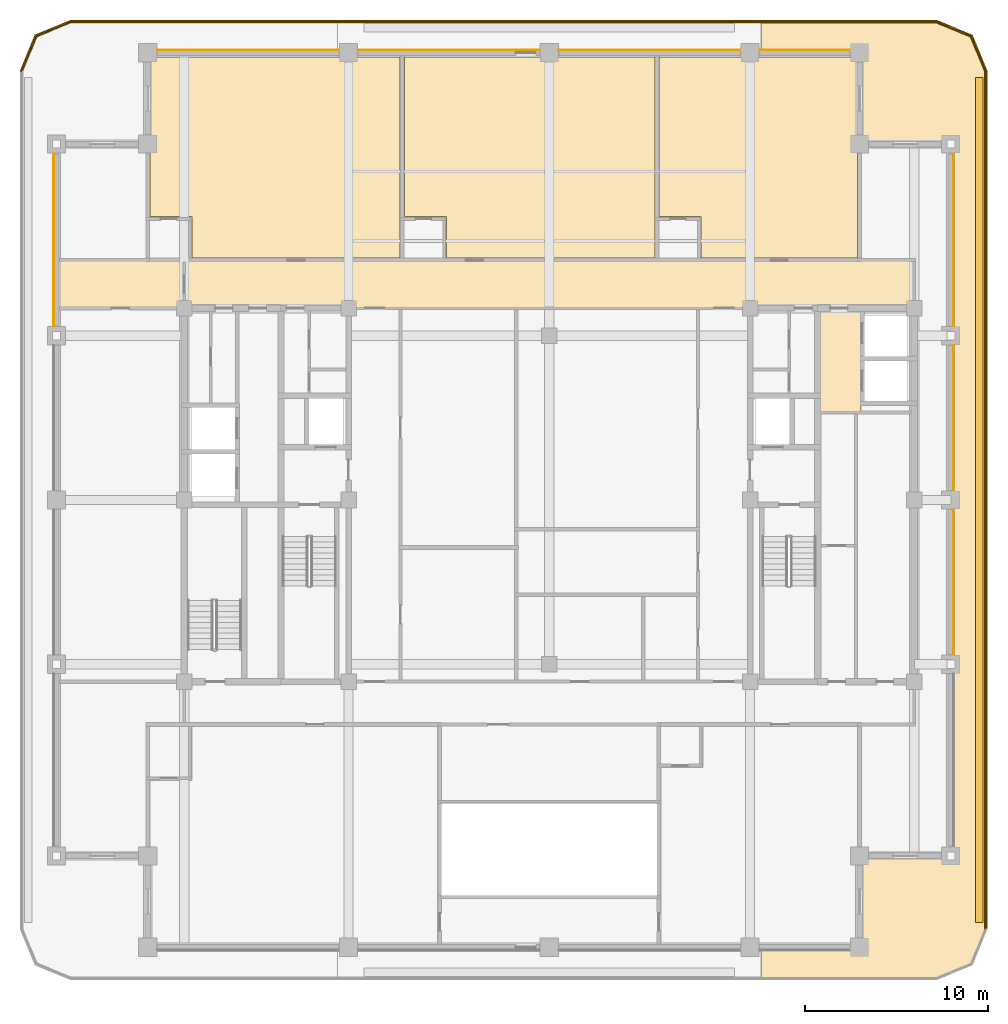
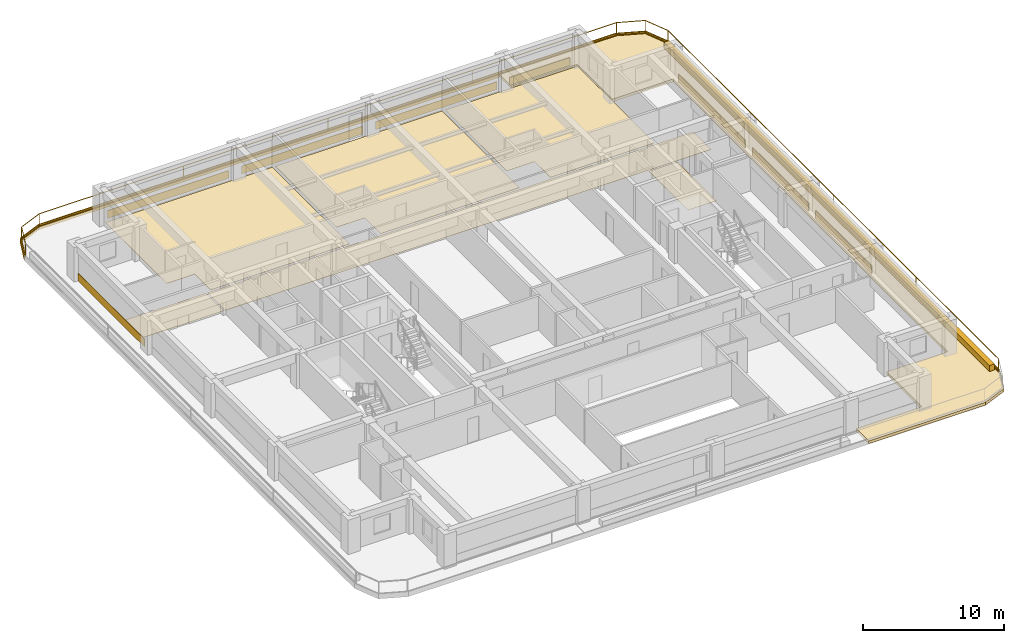
# One storey, part 13 of 13: 22 coverings, 2 railings.
"""IFC4 building model written with IfcOpenShell, lengths in metres."""

import ifcopenshell
import ifcopenshell.guid

model = None  # the IFC model being written
_history = None  # IfcOwnerHistory: only IFC2X3 demands one
_inside = {}  # id of a spatial element -> (the spatial element, [elements in it])
_under = {}  # id of a project, library or spatial element -> (it, [spatial elements below it])
_declared = {}  # id of a project -> (the project, [libraries it declares])
_typed = {}  # id of a type object -> (the type object, [elements of that type])
_made_of = {}  # id of a material, layer set ... -> (it, [elements and type objects made of it])


def new_model(schema):
    """Start an empty IFC model of exactly this schema.

    Asked for "IFC4X3", IfcOpenShell would pick the latest addendum, in which some entities
    have other attributes; the version numbers below select the first issue.
    IFC2X3 requires an IfcOwnerHistory on every rooted entity: one is made here for all.
    """
    global model, _history
    if schema == "IFC4X3":
        model = ifcopenshell.file(schema_version=(4, 3, 0, 0))
    else:
        model = ifcopenshell.file(schema=schema)
    _inside.clear()
    _under.clear()
    _declared.clear()
    _typed.clear()
    _made_of.clear()
    _history = None
    if model.schema == "IFC2X3":
        org = make("IfcOrganization", Name="unknown")
        user = make(
            "IfcPersonAndOrganization",
            ThePerson=make("IfcPerson", FamilyName="unknown"),
            TheOrganization=org,
        )
        app = make(
            "IfcApplication",
            ApplicationDeveloper=org,
            Version="unknown",
            ApplicationFullName="unknown",
            ApplicationIdentifier="unknown",
        )
        _history = make(
            "IfcOwnerHistory",
            OwningUser=user,
            OwningApplication=app,
            ChangeAction="ADDED",
            CreationDate=0,
        )
    return model


def make(cls, **values):
    """One entity of the class cls with the attributes given. An attribute that is None is left unset."""
    return model.create_entity(
        cls, **{name: value for name, value in values.items() if value is not None}
    )


def rooted(cls, **values):
    """An entity with a GlobalId (a new one), such as an element, a storey or a relation."""
    return make(cls, GlobalId=ifcopenshell.guid.new(), OwnerHistory=_history, **values)


def si_unit(unit_type, name, prefix=None):
    """IfcSIUnit, for example si_unit("LENGTHUNIT", "METRE", prefix="MILLI")."""
    return make("IfcSIUnit", UnitType=unit_type, Prefix=prefix, Name=name)


def assignment(units):
    """IfcUnitAssignment: the units of a project."""
    return None if units is None else make("IfcUnitAssignment", Units=units)


def point(xyz):
    """IfcCartesianPoint."""
    return None if xyz is None else make("IfcCartesianPoint", Coordinates=xyz)


def direction(xyz):
    """IfcDirection."""
    return None if xyz is None else make("IfcDirection", DirectionRatios=xyz)


def frame(location, z_axis=None, x_axis=None):
    """IfcAxis2Placement3D, a coordinate frame: its origin and axes. An axis left out is left unset."""
    return make(
        "IfcAxis2Placement3D",
        Location=point(location),
        Axis=direction(z_axis),
        RefDirection=direction(x_axis),
    )


def frame_2d(location, x_axis=None):
    """IfcAxis2Placement2D, a coordinate frame in the plane: its origin and x axis."""
    return make(
        "IfcAxis2Placement2D", Location=point(location), RefDirection=direction(x_axis)
    )


def origin():
    """The frame at (0, 0, 0) with its axes left unset."""
    return frame((0.0, 0.0, 0.0))


def origin_2d():
    """The frame at (0, 0) in the plane with its x axis left unset."""
    return frame_2d((0.0, 0.0))


def place(relative_to, where):
    """IfcLocalPlacement: puts the frame where relative to a parent placement (None: the world)."""
    return make(
        "IfcLocalPlacement", PlacementRelTo=relative_to, RelativePlacement=where
    )


def context(
    kind, dimensions, precision=None, world=None, true_north=None, identifier=None
):
    """IfcGeometricRepresentationContext, for example the 3D "Model" context."""
    return make(
        "IfcGeometricRepresentationContext",
        ContextIdentifier=identifier,
        ContextType=kind,
        CoordinateSpaceDimension=dimensions,
        Precision=precision,
        WorldCoordinateSystem=world,
        TrueNorth=true_north,
    )


def subcontext(parent, identifier, kind, view, scale=None):
    """IfcGeometricRepresentationSubContext, for example "Body" below "Model"."""
    return make(
        "IfcGeometricRepresentationSubContext",
        ContextIdentifier=identifier,
        ContextType=kind,
        ParentContext=parent,
        TargetScale=scale,
        TargetView=view,
    )


def project(units=None, contexts=None):
    """IfcProject with its units and contexts."""
    return rooted(
        "IfcProject",
        Name="project",
        RepresentationContexts=contexts,
        UnitsInContext=assignment(units),
    )


def spatial(cls, under=None, at=None, **own):
    """A site, building, storey or space (cls), placed at a placement, below another one or the project."""
    s = rooted(cls, ObjectPlacement=at, **own)
    if under is not None:
        _under.setdefault(under.id(), (under, []))[1].append(s)
    return s


def polyline(points):
    """IfcPolyline through the points."""
    return make("IfcPolyline", Points=[point(p) for p in points])


def profile(cls, at=None, kind="AREA", **sizes):
    """A parametric profile (cls). Its sizes go by their IFC names, for example OverallWidth=200.0."""
    return make(cls, ProfileType=kind, Position=at, **sizes)


def rectangle(**sizes):
    """IfcRectangleProfileDef."""
    return profile("IfcRectangleProfileDef", **sizes)


def outline(outer, holes=None, kind="AREA"):
    """IfcArbitraryClosedProfileDef: a profile drawn as a closed curve; with holes, ...WithVoids."""
    if holes is None:
        return make("IfcArbitraryClosedProfileDef", ProfileType=kind, OuterCurve=outer)
    return make(
        "IfcArbitraryProfileDefWithVoids",
        ProfileType=kind,
        OuterCurve=outer,
        InnerCurves=holes,
    )


def extrude(swept, where, along, depth):
    """IfcExtrudedAreaSolid: the profile swept, set in the frame where, extruded along a direction by depth."""
    return make(
        "IfcExtrudedAreaSolid",
        SweptArea=swept,
        Position=where,
        ExtrudedDirection=direction(along),
        Depth=depth,
    )


def shape(context_of_items, identifier, shape_type, items):
    """IfcShapeRepresentation: the items that make up one representation, for example the "Body"."""
    return make(
        "IfcShapeRepresentation",
        ContextOfItems=context_of_items,
        RepresentationIdentifier=identifier,
        RepresentationType=shape_type,
        Items=items,
    )


def material(Name=None, Category=None):
    """IfcMaterial."""
    return make("IfcMaterial", Name=Name, Category=Category)


def layer(
    of_material, thickness, ventilated=None, Name=None, Category=None, Priority=None
):
    """IfcMaterialLayer: one layer of a wall or slab, of a material (None: an air gap)."""
    return make(
        "IfcMaterialLayer",
        Material=of_material,
        LayerThickness=thickness,
        IsVentilated=ventilated,
        Name=Name,
        Category=Category,
        Priority=Priority,
    )


def layer_set(layers, Name=None):
    """IfcMaterialLayerSet."""
    return make("IfcMaterialLayerSet", MaterialLayers=layers, LayerSetName=Name)


def made_of(thing, what):
    """Note that an element or type object is made of a material, layer set ...; save() writes the relation."""
    if what is not None:
        _made_of.setdefault(what.id(), (what, []))[1].append(thing)
    return thing


def type_object(cls, material=None, **own):
    """A type object (cls), such as IfcWallType, which elements share."""
    return made_of(rooted(cls, **own), material)


def element(
    cls,
    number,
    at=None,
    inside=None,
    cuts=None,
    type_object=None,
    material=None,
    context=None,
    identifier="Body",
    shape_type=None,
    held_by="IfcProductDefinitionShape",
    body=None,
    shapes=None,
    **own,
):
    """One element of the class cls, such as IfcWall. Its Tag is "e" and its number.

    at: its placement. inside: the storey or other place that contains it. cuts: it is an
    opening in that element (IfcRelVoidsElement). A single representation is given by context,
    identifier, shape_type and body (its items); several are given by shapes. held_by: the class
    of the entity that holds the representations. save() writes the other relations.
    """
    e = rooted(cls, Tag="e%d" % number, ObjectPlacement=at, **own)
    if body is not None:
        shapes = [shape(context, identifier, shape_type, body)]
    if shapes is not None:
        e.Representation = make(held_by, Representations=shapes)
    if inside is not None:
        _inside.setdefault(inside.id(), (inside, []))[1].append(e)
    if cuts is not None:
        rooted(
            "IfcRelVoidsElement", RelatingBuildingElement=cuts, RelatedOpeningElement=e
        )
    if type_object is not None:
        _typed.setdefault(type_object.id(), (type_object, []))[1].append(e)
    return made_of(e, material)


def aggregate(whole, parts):
    """IfcRelAggregates: a whole, such as a stair, and the parts it consists of."""
    return rooted("IfcRelAggregates", RelatingObject=whole, RelatedObjects=parts)


def save(model, path):
    """Write the relations noted so far, then the file.

    IfcRelAggregates (storeys below a building ...), IfcRelContainedInSpatialStructure (elements
    in a storey), IfcRelDefinesByType, IfcRelAssociatesMaterial and IfcRelDeclares: one each for
    every whole, place, type object, material and project.
    """
    for whole, parts in _under.values():
        aggregate(whole, parts)
    for where, things in _inside.values():
        rooted(
            "IfcRelContainedInSpatialStructure",
            RelatedElements=things,
            RelatingStructure=where,
        )
    for kind, things in _typed.values():
        rooted("IfcRelDefinesByType", RelatedObjects=things, RelatingType=kind)
    for what, things in _made_of.values():
        rooted("IfcRelAssociatesMaterial", RelatedObjects=things, RelatingMaterial=what)
    for by, libraries in _declared.values():
        rooted("IfcRelDeclares", RelatingContext=by, RelatedDefinitions=libraries)
    model.write(path)


model = new_model("IFC4")

# Units and contexts
model_context = context("Model", 3, precision=1e-05, world=origin(), true_north=direction((0.0, 1.0)))
body_context = subcontext(model_context, "Body", "Model", "MODEL_VIEW")
ifc_project = project(units=[si_unit("LENGTHUNIT", "METRE"), si_unit("AREAUNIT", "SQUARE_METRE"), si_unit("VOLUMEUNIT", "CUBIC_METRE"), si_unit("PLANEANGLEUNIT", "RADIAN"), si_unit("MASSUNIT", "GRAM", prefix="KILO")], contexts=[model_context])

# Site, building, storey
site_placement = place(None, origin())
site = spatial("IfcSite", under=ifc_project, at=site_placement, CompositionType="ELEMENT")
building_placement = place(site_placement, origin())
building = spatial("IfcBuilding", under=site, at=building_placement, Name="Zulmaris Gate Convention Tower", CompositionType="ELEMENT")
storey_placement = place(building_placement, frame((0.0, 0.0, 218.659912109375)))
storey = spatial("IfcBuildingStorey", under=building, at=storey_placement, Name="L57", CompositionType="ELEMENT", Elevation=218.659912109375)

# Coverings
ifc_material_1 = material(Name="Precast concrete C40/50", Category="concrete")
ifc_layer_1 = layer(ifc_material_1, 0.0400390625, Name="Precast concrete C40/50")
ifc_layer_set_1 = layer_set([ifc_layer_1], Name="Precast concrete C40/50")
covering_type_1 = type_object("IfcCoveringType", Name="CLAD-SPANDREL-PRECAST", PredefinedType="CLADDING", material=ifc_layer_set_1)
for number, where, z_axis, x_axis, name in (
    (1, (-11.530029296875, 24.64990234375, 0.0), (0.0, 0.0, 1.0), (-1.0, 0.0, 0.0), "CLD-L57-N-0_0"),
    (2, (-0.530029296875, 24.64990234375, 0.0), (0.0, 0.0, 1.0), (-1.0, 0.0, 0.0), "CLD-L57-N-1_0"),
    (3, (10.469970703125, 24.64990234375, 0.0), (0.0, 0.0, 1.0), (-1.0, 0.0, 0.0), "CLD-L57-N-2_0"),
):
    element("IfcCovering", number, at=place(storey_placement, frame(where, z_axis=z_axis, x_axis=x_axis)), inside=storey, type_object=covering_type_1, Name=name, PredefinedType="CLADDING", context=body_context, shape_type="SweptSolid", body=[
        extrude(rectangle(XDim=9.93994140625, YDim=0.0400390625, at=frame_2d((4.969970703125, 0.0))), origin(), (0.0, 0.0, 1.0), 0.679931640625),
    ])
covering_1_placement = place(storey_placement, frame((16.469970703125, 24.64990234375, 0.0), z_axis=(0.0, 0.0, 1.0), x_axis=(-1.0, 0.0, 0.0)))
element("IfcCovering", 4, at=covering_1_placement, inside=storey, type_object=covering_type_1, Name="CLD-L57-N-3_0", PredefinedType="CLADDING", context=body_context, shape_type="SweptSolid", body=[
    extrude(rectangle(XDim=4.93994140625, YDim=0.0400390625, at=frame_2d((2.469970703125, 0.0))), origin(), (0.0, 0.0, 1.0), 0.679931640625),
])
for number, where, z_axis, x_axis, name in (
    (5, (22.14990234375, -8.469970703125, 0.0), (0.0, 0.0, 1.0), (0.0, 1.0, 0.0), "CLD-L57-E-1_0"),
    (6, (22.14990234375, 0.530029296875, 0.0), (0.0, 0.0, 1.0), (0.0, 1.0, 0.0), "CLD-L57-E-2_0"),
):
    element("IfcCovering", number, at=place(storey_placement, frame(where, z_axis=z_axis, x_axis=x_axis)), inside=storey, type_object=covering_type_1, Name=name, PredefinedType="CLADDING", context=body_context, shape_type="SweptSolid", body=[
        extrude(rectangle(XDim=7.93994140625, YDim=0.0400390625, at=frame_2d((3.969970703125, 0.0))), origin(), (0.0, 0.0, 1.0), 0.679931640625),
    ])
for number, where, z_axis, x_axis, name in (
    (7, (22.14990234375, 9.530029296875, 0.0), (0.0, 0.0, 1.0), (0.0, 1.0, 0.0), "CLD-L57-E-3_0"),
    (8, (-27.14990234375, 18.969970703125, 0.0), (0.0, 0.0, 1.0), (0.0, -1.0, 0.0), "CLD-L57-W-3_0"),
):
    element("IfcCovering", number, at=place(storey_placement, frame(where, z_axis=z_axis, x_axis=x_axis)), inside=storey, type_object=covering_type_1, Name=name, PredefinedType="CLADDING", context=body_context, shape_type="SweptSolid", body=[
        extrude(rectangle(XDim=9.43994140625, YDim=0.0400390625, at=frame_2d((4.719970703125, 0.0))), origin(), (0.0, 0.0, 1.0), 0.679931640625),
    ])
ifc_material_2 = material(Name="White Glazed Architectural Precast Concrete C40/50", Category="concrete")
ifc_layer_2 = layer(ifc_material_2, 0.239990234375, Name="White Glazed Architectural Precast Concrete C40/50")
ifc_layer_set_2 = layer_set([ifc_layer_2], Name="White Glazed Architectural Precast Concrete C40/50")
covering_type_2 = type_object("IfcCoveringType", Name="CLAD-TRAY-DECK", PredefinedType="CLADDING", material=ifc_layer_set_2)
covering_2_placement = place(storey_placement, frame((0.0, 0.0, -0.25)))
element("IfcCovering", 9, at=covering_2_placement, inside=storey, type_object=covering_type_2, Name="L57 East Rounded-Fascia Planter Tray Deck", PredefinedType="CLADDING", context=body_context, shape_type="SweptSolid", body=[
    extrude(outline(polyline([(21.199951171875, 26.300048828125), (23.179931640625, 25.47998046875), (24.0, 23.5), (24.0, -23.5), (23.179931640625, -25.47998046875), (21.199951171875, -26.300048828125), (11.60205078125, -26.300048828125), (11.60205078125, -24.5), (17.0, -24.5), (17.0, -19.5), (22.0, -19.5), (22.0, 19.5), (17.0, 19.5), (17.0, 24.5), (11.60205078125, 24.5), (11.60205078125, 26.300048828125), (21.199951171875, 26.300048828125)])), origin(), (0.0, 0.0, 1.0), 0.239990234375),
])
ifc_layer_3 = layer(ifc_material_2, 0.080078125, Name="White Glazed Architectural Precast Concrete C40/50")
ifc_layer_set_3 = layer_set([ifc_layer_3], Name="White Glazed Architectural Precast Concrete C40/50")
covering_type_3 = type_object("IfcCoveringType", Name="CLAD-TRAY-FASCIA", PredefinedType="CLADDING", material=ifc_layer_set_3)
covering_3_placement = place(storey_placement, frame((23.9599609375, -23.5, -0.2900390625), z_axis=(0.0, 0.0, 1.0), x_axis=(0.0, 1.0, 0.0)))
element("IfcCovering", 10, at=covering_3_placement, inside=storey, type_object=covering_type_3, Name="FSC-L57-TR-05", PredefinedType="CLADDING", context=body_context, shape_type="SweptSolid", body=[
    extrude(rectangle(XDim=47.0, YDim=0.080078125, at=frame_2d((23.5, 0.0))), origin(), (0.0, 0.0, 1.0), 0.43994140625),
])
covering_4_placement = place(storey_placement, frame((23.962890625, 23.484619140625, -0.2900390625), z_axis=(0.0, 0.0, 1.0), x_axis=(-0.382656984709, 0.923890487046, 0.0)))
element("IfcCovering", 11, at=covering_4_placement, inside=storey, type_object=covering_type_3, Name="FSC-L57-TR-06", PredefinedType="CLADDING", context=body_context, shape_type="SweptSolid", body=[
    extrude(rectangle(XDim=2.14306640625, YDim=0.080078125, at=frame_2d((1.071533203125, 0.0))), origin(), (0.0, 0.0, 1.0), 0.43994140625),
])
covering_5_placement = place(storey_placement, frame((23.16455078125, 25.44287109375, -0.2900390625), z_axis=(0.0, 0.0, 1.0), x_axis=(-0.923873803533, 0.382697263049, 0.0)))
element("IfcCovering", 12, at=covering_5_placement, inside=storey, type_object=covering_type_3, Name="FSC-L57-TR-07", PredefinedType="CLADDING", context=body_context, shape_type="SweptSolid", body=[
    extrude(rectangle(XDim=2.142822265625, YDim=0.080078125, at=frame_2d((1.0712890625, 0.0))), origin(), (0.0, 0.0, 1.0), 0.43994140625),
])
covering_6_placement = place(storey_placement, frame((21.199951171875, 26.260009765625, -0.2900390625), z_axis=(0.0, 0.0, 1.0), x_axis=(-1.0, 0.0, 0.0)))
element("IfcCovering", 13, at=covering_6_placement, inside=storey, type_object=covering_type_3, Name="FSC-L57-TR-08", PredefinedType="CLADDING", context=body_context, shape_type="SweptSolid", body=[
    extrude(rectangle(XDim=47.39990234375, YDim=0.080078125, at=frame_2d((23.699951171875, 0.0))), origin(), (0.0, 0.0, 1.0), 0.43994140625),
])
covering_7_placement = place(storey_placement, frame((-26.184814453125, 26.262939453125, -0.2900390625), z_axis=(0.0, 0.0, 1.0), x_axis=(-0.923873803533, -0.382697263049, 0.0)))
element("IfcCovering", 14, at=covering_7_placement, inside=storey, type_object=covering_type_3, Name="FSC-L57-TR-09", PredefinedType="CLADDING", context=body_context, shape_type="SweptSolid", body=[
    extrude(rectangle(XDim=2.142822265625, YDim=0.080078125, at=frame_2d((1.0712890625, 0.0))), origin(), (0.0, 0.0, 1.0), 0.43994140625),
])
covering_8_placement = place(storey_placement, frame((-28.142822265625, 25.464599609375, -0.2900390625), z_axis=(0.0, 0.0, 1.0), x_axis=(-0.382656984709, -0.923890487046, 0.0)))
element("IfcCovering", 15, at=covering_8_placement, inside=storey, type_object=covering_type_3, Name="FSC-L57-TR-10", PredefinedType="CLADDING", context=body_context, shape_type="SweptSolid", body=[
    extrude(rectangle(XDim=2.14306640625, YDim=0.080078125, at=frame_2d((1.071533203125, 0.0))), origin(), (0.0, 0.0, 1.0), 0.43994140625),
])
ifc_material_3 = material(Name="Woven Acoustic Wool Carpet Tile")
ifc_layer_4 = layer(ifc_material_3, 0.02001953125, Name="Woven Acoustic Wool Carpet Tile")
ifc_layer_set_4 = layer_set([ifc_layer_4], Name="Woven Acoustic Wool Carpet Tile")
covering_type_4 = type_object("IfcCoveringType", Name="FLR-CARPET-12", PredefinedType="FLOORING", material=ifc_layer_set_4)
covering_9_placement = place(storey_placement, origin())
element("IfcCovering", 16, at=covering_9_placement, inside=storey, type_object=covering_type_4, Name="FLR-L57-R26", PredefinedType="FLOORING", context=body_context, shape_type="SweptSolid", body=[
    extrude(outline(polyline([(14.760009765625, 4.860107421875), (17.090087890625, 4.860107421875), (17.090087890625, 10.43994140625), (14.760009765625, 10.43994140625), (14.760009765625, 4.860107421875)])), origin(), (0.0, 0.0, 1.0), 0.02001953125),
])
covering_10_placement = place(storey_placement, origin())
element("IfcCovering", 17, at=covering_10_placement, inside=storey, type_object=covering_type_4, Name="FLR-L57-R32", PredefinedType="FLOORING", context=body_context, shape_type="SweptSolid", body=[
    extrude(outline(polyline([(-19.93994140625, 10.56005859375), (19.93994140625, 10.56005859375), (19.93994140625, 13.090087890625), (-19.93994140625, 13.090087890625), (-19.93994140625, 10.56005859375)])), origin(), (0.0, 0.0, 1.0), 0.02001953125),
])
covering_11_placement = place(storey_placement, origin())
element("IfcCovering", 18, at=covering_11_placement, inside=storey, type_object=covering_type_4, Name="FLR-L57-R54", PredefinedType="FLOORING", context=body_context, shape_type="SweptSolid", body=[
    extrude(outline(polyline([(-26.93994140625, 10.56005859375), (-20.06005859375, 10.56005859375), (-20.06005859375, 13.090087890625), (-26.93994140625, 13.090087890625), (-26.93994140625, 10.56005859375)])), origin(), (0.0, 0.0, 1.0), 0.02001953125),
])
ifc_material_4 = material(Name="Engineered Teak Parquet Flooring")
ifc_layer_5 = layer(ifc_material_4, 0.02001953125, Name="Engineered Teak Parquet Flooring")
ifc_layer_set_5 = layer_set([ifc_layer_5], Name="Engineered Teak Parquet Flooring")
covering_type_5 = type_object("IfcCoveringType", Name="FLR-TIMBER-18", PredefinedType="FLOORING", material=ifc_layer_set_5)
covering_12_placement = place(storey_placement, origin())
element("IfcCovering", 19, at=covering_12_placement, inside=storey, type_object=covering_type_5, Name="FLR-L57-R37", PredefinedType="FLOORING", context=body_context, shape_type="SweptSolid", body=[
    extrude(outline(polyline([(-19.580078125, 13.27001953125), (-8.169921875, 13.27001953125), (-8.169921875, 24.260009765625), (-21.8798828125, 24.260009765625), (-21.8798828125, 15.52001953125), (-19.580078125, 15.52001953125), (-19.580078125, 13.27001953125)])), origin(), (0.0, 0.0, 1.0), 0.02001953125),
])
covering_13_placement = place(storey_placement, origin())
element("IfcCovering", 20, at=covering_13_placement, inside=storey, type_object=covering_type_5, Name="FLR-L57-R39", PredefinedType="FLOORING", context=body_context, shape_type="SweptSolid", body=[
    extrude(outline(polyline([(-5.6298828125, 13.27001953125), (5.780029296875, 13.27001953125), (5.780029296875, 24.260009765625), (-7.929931640625, 24.260009765625), (-7.929931640625, 15.52001953125), (-5.6298828125, 15.52001953125), (-5.6298828125, 13.27001953125)])), origin(), (0.0, 0.0, 1.0), 0.02001953125),
])
covering_14_placement = place(storey_placement, origin())
element("IfcCovering", 21, at=covering_14_placement, inside=storey, type_object=covering_type_5, Name="FLR-L57-R41", PredefinedType="FLOORING", context=body_context, shape_type="SweptSolid", body=[
    extrude(outline(polyline([(8.320068359375, 13.27001953125), (16.8798828125, 13.27001953125), (16.8798828125, 24.260009765625), (6.02001953125, 24.260009765625), (6.02001953125, 15.52001953125), (8.320068359375, 15.52001953125), (8.320068359375, 13.27001953125)])), origin(), (0.0, 0.0, 1.0), 0.02001953125),
])
ifc_material_5 = material(Name="Botanical Green Glazed Precast Concrete C40/50", Category="concrete")
ifc_layer_6 = layer(ifc_material_5, 0.419921875, Name="Botanical Green Glazed Precast Concrete C40/50")
ifc_layer_set_6 = layer_set([ifc_layer_6], Name="Botanical Green Glazed Precast Concrete C40/50")
covering_type_6 = type_object("IfcCoveringType", Name="PLANTER-BOX-200", PredefinedType="CLADDING", material=ifc_layer_set_6)
covering_15_placement = place(storey_placement, frame((0.0, 0.0, -0.010009765625)))
element("IfcCovering", 22, at=covering_15_placement, inside=storey, type_object=covering_type_6, Name="L57 E Full-Length Balcony Tree Planter Trough", PredefinedType="CLADDING", context=body_context, shape_type="SweptSolid", body=[
    extrude(outline(polyline([(23.340087890625, -23.14990234375), (23.760009765625, -23.14990234375), (23.760009765625, 23.14990234375), (23.340087890625, 23.14990234375), (23.340087890625, -23.14990234375)])), origin(), (0.0, 0.0, 1.0), 0.52001953125),
])

# Railings
ifc_material_6 = material(Name="Laminated Glass and Stainless Steel", Category="steel")
railing_type = type_object("IfcRailingType", Name="RL-BALC-1150", PredefinedType="BALUSTRADE", material=ifc_material_6)
railing_1_placement = place(storey_placement, frame((23.8798828125, -23.5, -0.010009765625)))
element("IfcRailing", 23, at=railing_1_placement, inside=storey, type_object=railing_type, Name="RL-L57-BALC-E", PredefinedType="BALUSTRADE", context=body_context, shape_type="SweptSolid", body=[
    extrude(rectangle(XDim=0.048095703125, YDim=0.048095703125, at=origin_2d()), frame((0.0, 0.0, 1.1259765625), z_axis=(0.0, 1.0, 0.0), x_axis=(-1.0, 0.0, 0.0)), (0.0, 0.0, 1.0), 47.0),
    extrude(rectangle(XDim=0.048095703125, YDim=0.048095703125, at=origin_2d()), frame((0.0, 0.0, 0.02392578125), z_axis=(0.0, 1.0, 0.0), x_axis=(-1.0, 0.0, 0.0)), (0.0, 0.0, 1.0), 47.0),
    extrude(rectangle(XDim=0.0419921875, YDim=0.0419921875, at=origin_2d()), origin(), (0.0, 0.0, 1.0), 1.101806640625),
    extrude(rectangle(XDim=0.0419921875, YDim=0.0419921875, at=origin_2d()), frame((0.0, 11.75, 0.0)), (0.0, 0.0, 1.0), 1.101806640625),
    extrude(rectangle(XDim=0.0419921875, YDim=0.0419921875, at=origin_2d()), frame((0.0, 23.5, 0.0)), (0.0, 0.0, 1.0), 1.101806640625),
    extrude(rectangle(XDim=0.0419921875, YDim=0.0419921875, at=origin_2d()), frame((0.0, 35.25, 0.0)), (0.0, 0.0, 1.0), 1.101806640625),
    extrude(rectangle(XDim=0.0419921875, YDim=0.0419921875, at=origin_2d()), frame((0.0, 47.0, 0.0)), (0.0, 0.0, 1.0), 1.101806640625),
])
railing_2_placement = place(storey_placement, frame((23.8798828125, 23.5, -0.010009765625)))
element("IfcRailing", 24, at=railing_2_placement, inside=storey, type_object=railing_type, Name="RL-L57-BALC-N", PredefinedType="BALUSTRADE", context=body_context, shape_type="SweptSolid", body=[
    extrude(rectangle(XDim=0.048095703125, YDim=0.048095703125, at=origin_2d()), frame((0.0, 0.0, 1.1259765625), z_axis=(-0.382670664694, 0.92388482095, 0.0), x_axis=(-0.92388482095, -0.382670664694, 0.0)), (0.0, 0.0, 1.0), 2.051025390625),
    extrude(rectangle(XDim=0.048095703125, YDim=0.048095703125, at=origin_2d()), frame((0.0, 0.0, 0.02392578125), z_axis=(-0.382670664694, 0.92388482095, 0.0), x_axis=(-0.92388482095, -0.382670664694, 0.0)), (0.0, 0.0, 1.0), 2.051025390625),
    extrude(rectangle(XDim=0.048095703125, YDim=0.048095703125, at=origin_2d()), frame((-0.784912109375, 1.89501953125, 1.1259765625), z_axis=(-0.92388482095, 0.382670664694, 0.0), x_axis=(-0.382670664694, -0.92388482095, 0.0)), (0.0, 0.0, 1.0), 2.051025390625),
    extrude(rectangle(XDim=0.048095703125, YDim=0.048095703125, at=origin_2d()), frame((-0.784912109375, 1.89501953125, 0.02392578125), z_axis=(-0.92388482095, 0.382670664694, 0.0), x_axis=(-0.382670664694, -0.92388482095, 0.0)), (0.0, 0.0, 1.0), 2.051025390625),
    extrude(rectangle(XDim=0.048095703125, YDim=0.048095703125, at=origin_2d()), frame((-2.679931640625, 2.679931640625, 1.1259765625), z_axis=(-1.0, 0.0, 0.0), x_axis=(0.0, -1.0, 0.0)), (0.0, 0.0, 1.0), 47.39990234375),
    extrude(rectangle(XDim=0.048095703125, YDim=0.048095703125, at=origin_2d()), frame((-2.679931640625, 2.679931640625, 0.02392578125), z_axis=(-1.0, 0.0, 0.0), x_axis=(0.0, -1.0, 0.0)), (0.0, 0.0, 1.0), 47.39990234375),
    extrude(rectangle(XDim=0.048095703125, YDim=0.048095703125, at=origin_2d()), frame((-50.079833984375, 2.679931640625, 1.1259765625), z_axis=(-0.92388482095, -0.382670664694, 0.0), x_axis=(0.382670664694, -0.92388482095, 0.0)), (0.0, 0.0, 1.0), 2.051025390625),
    extrude(rectangle(XDim=0.048095703125, YDim=0.048095703125, at=origin_2d()), frame((-50.079833984375, 2.679931640625, 0.02392578125), z_axis=(-0.92388482095, -0.382670664694, 0.0), x_axis=(0.382670664694, -0.92388482095, 0.0)), (0.0, 0.0, 1.0), 2.051025390625),
    extrude(rectangle(XDim=0.048095703125, YDim=0.048095703125, at=origin_2d()), frame((-51.974853515625, 1.89501953125, 1.1259765625), z_axis=(-0.382670664694, -0.92388482095, 0.0), x_axis=(0.92388482095, -0.382670664694, 0.0)), (0.0, 0.0, 1.0), 2.051025390625),
    extrude(rectangle(XDim=0.048095703125, YDim=0.048095703125, at=origin_2d()), frame((-51.974853515625, 1.89501953125, 0.02392578125), z_axis=(-0.382670664694, -0.92388482095, 0.0), x_axis=(0.92388482095, -0.382670664694, 0.0)), (0.0, 0.0, 1.0), 2.051025390625),
    extrude(rectangle(XDim=0.0419921875, YDim=0.0419921875, at=origin_2d()), origin(), (0.0, 0.0, 1.0), 1.101806640625),
    extrude(rectangle(XDim=0.0419921875, YDim=0.0419921875, at=origin_2d()), frame((-0.784912109375, 1.89501953125, 0.0)), (0.0, 0.0, 1.0), 1.101806640625),
    extrude(rectangle(XDim=0.0419921875, YDim=0.0419921875, at=origin_2d()), frame((-2.679931640625, 2.679931640625, 0.0)), (0.0, 0.0, 1.0), 1.101806640625),
    extrude(rectangle(XDim=0.0419921875, YDim=0.0419921875, at=origin_2d()), frame((-14.52978515625, 2.679931640625, 0.0)), (0.0, 0.0, 1.0), 1.101806640625),
    extrude(rectangle(XDim=0.0419921875, YDim=0.0419921875, at=origin_2d()), frame((-26.3798828125, 2.679931640625, 0.0)), (0.0, 0.0, 1.0), 1.101806640625),
    extrude(rectangle(XDim=0.0419921875, YDim=0.0419921875, at=origin_2d()), frame((-38.22998046875, 2.679931640625, 0.0)), (0.0, 0.0, 1.0), 1.101806640625),
    extrude(rectangle(XDim=0.0419921875, YDim=0.0419921875, at=origin_2d()), frame((-50.079833984375, 2.679931640625, 0.0)), (0.0, 0.0, 1.0), 1.101806640625),
    extrude(rectangle(XDim=0.0419921875, YDim=0.0419921875, at=origin_2d()), frame((-51.974853515625, 1.89501953125, 0.0)), (0.0, 0.0, 1.0), 1.101806640625),
    extrude(rectangle(XDim=0.0419921875, YDim=0.0419921875, at=origin_2d()), frame((-52.759765625, 0.0, 0.0)), (0.0, 0.0, 1.0), 1.101806640625),
])

save(model, "model.ifc")
